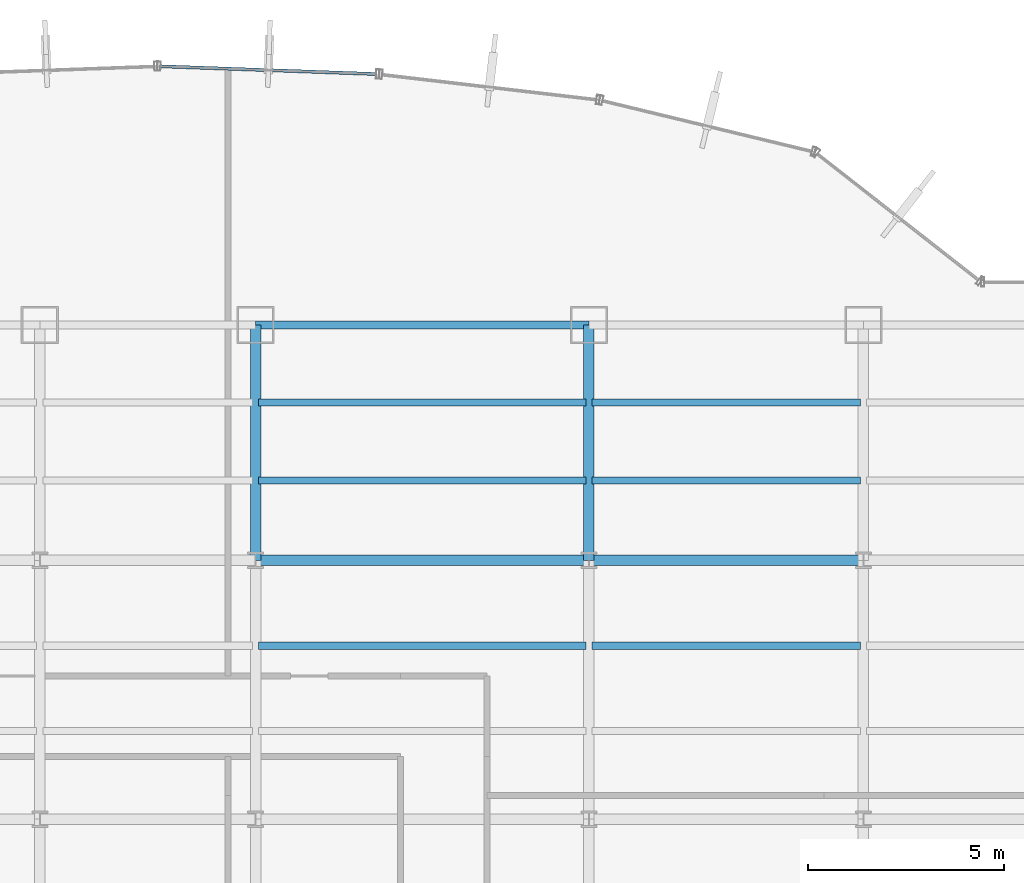
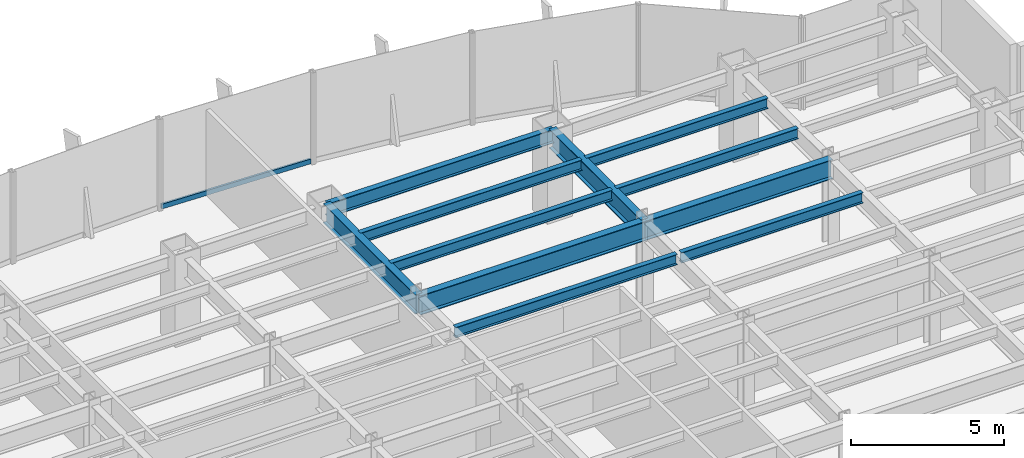
# One storey, part 13 of 22: 11 beams, 1 member, 1 element without a shape of its own.
"""IFC4 building model written with IfcOpenShell, lengths in metres."""

from ifc_helpers import new_model, si_unit, derived_unit, direction, frame, origin, origin_2d, place, context, subcontext, project, spatial, hollow_rectangle, i_section, extrude, source, transform, mapped, material, material_profile, profile_set, type_object, element, aggregate, save


model = new_model("IFC4")

# Units and contexts
model_context = context("Model", 3, precision=1e-05, world=origin(), true_north=direction((0.0, 1.0)))
body_context = subcontext(model_context, "Body", "Model", "MODEL_VIEW")
ifc_project = project(units=[si_unit("LENGTHUNIT", "METRE"), si_unit("AREAUNIT", "SQUARE_METRE"), si_unit("VOLUMEUNIT", "CUBIC_METRE"), si_unit("PLANEANGLEUNIT", "RADIAN"), si_unit("MASSUNIT", "GRAM", prefix="KILO"), derived_unit("THERMALTRANSMITTANCEUNIT", [(si_unit("POWERUNIT", "WATT"), 1), (si_unit("LENGTHUNIT", "METRE"), -2), (si_unit("THERMODYNAMICTEMPERATUREUNIT", "KELVIN"), -1)])], contexts=[model_context])

# Site, building, storey
site_placement = place(None, origin())
site = spatial("IfcSite", under=ifc_project, at=site_placement, CompositionType="ELEMENT")
building_placement = place(site_placement, origin())
building = spatial("IfcBuilding", under=site, at=building_placement, Name="Skarnbrae Concourse Arena and Tower", CompositionType="ELEMENT")
storey_placement = place(building_placement, frame((0.0, 0.0, 36.14990234375)))
storey = spatial("IfcBuildingStorey", under=building, at=storey_placement, Name="L07", CompositionType="ELEMENT", Elevation=36.14990234375)

# Beams
ifc_material_1 = material(Name="Steel CSA G40.21 350W", Category="steel")
ifc_material_profile_1 = material_profile(ifc_material_1, i_section(OverallWidth=0.26806640625, OverallDepth=0.77001953125, WebThickness=0.015625, FlangeThickness=0.025390625, at=origin_2d()), Name="W760X196")
ifc_profile_set_1 = profile_set([ifc_material_profile_1], Name="Steel CSA G40.21 350W")
beam_type_1 = type_object("IfcBeamType", Name="BM-GIRD-W760X196", PredefinedType="BEAM", material=ifc_profile_set_1)
shared_shape_1 = source(origin(), body_context, "Body", "SweptSolid", [
    extrude(i_section(OverallWidth=0.26806640625, OverallDepth=0.77001953125, WebThickness=0.015625, FlangeThickness=0.025390625, at=origin_2d()), origin(), (0.0, 0.0, 1.0), 7.0),
])
beam_1_placement = place(storey_placement, frame((42.0, 34.39990234375, 3.01513671875), z_axis=(1.0, 0.0, 0.0), x_axis=(0.0, 1.0, 0.0)))
element("IfcBeam", 1, at=beam_1_placement, inside=storey, type_object=beam_type_1, Name="L07 Primary E-W girder Y34.4-7", PredefinedType="BEAM", context=body_context, shape_type="MappedRepresentation", body=[
    mapped(shared_shape_1, transform((0.0, 0.0, 0.0))),
])
shared_shape_2 = source(origin(), body_context, "Body", "SweptSolid", [
    extrude(i_section(OverallWidth=0.26806640625, OverallDepth=0.77001953125, WebThickness=0.015625, FlangeThickness=0.025390625, at=origin_2d()), origin(), (0.0, 0.0, 1.0), 8.5),
])
beam_2_placement = place(storey_placement, frame((33.5, 34.39990234375, 3.01513671875), z_axis=(1.0, 0.0, 0.0), x_axis=(0.0, 1.0, 0.0)))
element("IfcBeam", 2, at=beam_2_placement, inside=storey, type_object=beam_type_1, Name="L07 Primary E-W girder Y34.4-6", PredefinedType="BEAM", context=body_context, shape_type="MappedRepresentation", body=[
    mapped(shared_shape_2, transform((0.0, 0.0, 0.0))),
])
shared_shape_3 = source(origin(), body_context, "Body", "SweptSolid", [
    extrude(i_section(OverallWidth=0.26806640625, OverallDepth=0.77001953125, WebThickness=0.015625, FlangeThickness=0.025390625, at=origin_2d()), origin(), (0.0, 0.0, 1.0), 6.0),
])
for number, where, z_axis, x_axis, name in (
    (3, (33.5, 34.39990234375, 3.01513671875), (0.0, 1.0, 0.0), (-1.0, 0.0, 0.0), "L07 Primary N-S girder X33.5-4"),
    (4, (42.0, 34.39990234375, 3.01513671875), (0.0, 1.0, 0.0), (-1.0, 0.0, 0.0), "L07 Primary N-S girder X42.0-5"),
):
    element("IfcBeam", number, at=place(storey_placement, frame(where, z_axis=z_axis, x_axis=x_axis)), inside=storey, type_object=beam_type_1, Name=name, PredefinedType="BEAM", context=body_context, shape_type="MappedRepresentation", body=[
        mapped(shared_shape_3, transform((0.0, 0.0, 0.0))),
    ])
ifc_material_profile_2 = material_profile(ifc_material_1, i_section(OverallWidth=0.214111328125, OverallDepth=0.549072265625, WebThickness=0.0146484375, FlangeThickness=0.023681640625, at=origin_2d()), Name="W530X138")
ifc_profile_set_2 = profile_set([ifc_material_profile_2], Name="Steel CSA G40.21 350W")
beam_type_2 = type_object("IfcBeamType", Name="BM-SPAN-W530X138", PredefinedType="SPANDREL", material=ifc_profile_set_2)
shared_shape_4 = source(origin(), body_context, "Body", "SweptSolid", [
    extrude(i_section(OverallWidth=0.214111328125, OverallDepth=0.549072265625, WebThickness=0.0146484375, FlangeThickness=0.023681640625, at=origin_2d()), origin(), (0.0, 0.0, 1.0), 8.5),
])
beam_3_placement = place(storey_placement, frame((33.5, 40.39990234375, 3.12548828125), z_axis=(1.0, 0.0, 0.0), x_axis=(0.0, 1.0, 0.0)))
element("IfcBeam", 5, at=beam_3_placement, inside=storey, type_object=beam_type_2, Name="L07 Perimeter spandrel Y40.4-5", PredefinedType="SPANDREL", context=body_context, shape_type="MappedRepresentation", body=[
    mapped(shared_shape_4, transform((0.0, 0.0, 0.0))),
])
ifc_material_profile_3 = material_profile(ifc_material_1, i_section(OverallWidth=0.180908203125, OverallDepth=0.4169921875, WebThickness=0.010986328125, FlangeThickness=0.018310546875, at=origin_2d()), Name="W410X85")
ifc_profile_set_3 = profile_set([ifc_material_profile_3], Name="Steel CSA G40.21 350W")
beam_type_3 = type_object("IfcBeamType", Name="BM-JOIST-W410X85", PredefinedType="JOIST", material=ifc_profile_set_3)
shared_shape_5 = source(origin(), body_context, "Body", "SweptSolid", [
    extrude(i_section(OverallWidth=0.180908203125, OverallDepth=0.4169921875, WebThickness=0.010986328125, FlangeThickness=0.018310546875, at=origin_2d()), origin(), (0.0, 0.0, 1.0), 8.33984375),
])
for number, where, z_axis, x_axis, name in (
    (6, (33.580078125, 32.221923828125, 3.191650390625), (1.0, 0.0, 0.0), (0.0, 1.0, 0.0), "L07 Secondary floor joist 3.2.6"),
    (7, (33.580078125, 36.43994140625, 3.191650390625), (1.0, 0.0, 0.0), (0.0, 1.0, 0.0), "L07 Secondary floor joist 4.1.5"),
    (8, (33.580078125, 38.419921875, 3.191650390625), (1.0, 0.0, 0.0), (0.0, 1.0, 0.0), "L07 Secondary floor joist 4.2.5"),
):
    element("IfcBeam", number, at=place(storey_placement, frame(where, z_axis=z_axis, x_axis=x_axis)), inside=storey, type_object=beam_type_3, Name=name, PredefinedType="JOIST", context=body_context, shape_type="MappedRepresentation", body=[
        mapped(shared_shape_5, transform((0.0, 0.0, 0.0))),
    ])
shared_shape_6 = source(origin(), body_context, "Body", "SweptSolid", [
    extrude(i_section(OverallWidth=0.180908203125, OverallDepth=0.4169921875, WebThickness=0.010986328125, FlangeThickness=0.018310546875, at=origin_2d()), origin(), (0.0, 0.0, 1.0), 6.83984375),
])
for number, where, z_axis, x_axis, name in (
    (9, (42.080078125, 32.221923828125, 3.191650390625), (1.0, 0.0, 0.0), (0.0, 1.0, 0.0), "L07 Secondary floor joist 3.2.7"),
    (10, (42.080078125, 36.43994140625, 3.191650390625), (1.0, 0.0, 0.0), (0.0, 1.0, 0.0), "L07 Secondary floor joist 4.1.6"),
    (11, (42.080078125, 38.419921875, 3.191650390625), (1.0, 0.0, 0.0), (0.0, 1.0, 0.0), "L07 Secondary floor joist 4.2.6"),
):
    element("IfcBeam", number, at=place(storey_placement, frame(where, z_axis=z_axis, x_axis=x_axis)), inside=storey, type_object=beam_type_3, Name=name, PredefinedType="JOIST", context=body_context, shape_type="MappedRepresentation", body=[
        mapped(shared_shape_6, transform((0.0, 0.0, 0.0))),
    ])

# Curtain wall, member
ifc_material_2 = material(Name="Bronze anodised aluminium 6063-T6", Category="aluminium")
curtain_wall_type = type_object("IfcCurtainWallType", Name="CW-SYS-02-LOWZONE", PredefinedType="USERDEFINED", material=ifc_material_2)
curtain_wall_placement = place(storey_placement, origin())
curtain_wall = element("IfcCurtainWall", 12, at=curtain_wall_placement, inside=storey, type_object=curtain_wall_type, Name="L07 Unitised curtain wall CW-L07-E11", ObjectType="UNITISED CURTAIN WALL", PredefinedType="USERDEFINED")
ifc_material_profile_4 = material_profile(ifc_material_2, hollow_rectangle(XDim=0.080078125, YDim=0.18994140625, WallThickness=0.0048828125, at=origin_2d()), Name="ALU-TRAN-80X190")
ifc_profile_set_4 = profile_set([ifc_material_profile_4], Name="Bronze anodised aluminium 6063-T6")
member_type = type_object("IfcMemberType", Name="CWT-CW-02", PredefinedType="USERDEFINED", material=ifc_profile_set_4)
shared_shape_7 = source(origin(), body_context, "Body", "SweptSolid", [
    extrude(hollow_rectangle(XDim=0.080078125, YDim=0.18994140625, WallThickness=0.0048828125, at=origin_2d()), origin(), (0.0, 0.0, 1.0), 5.497802734375),
])
member_placement = place(storey_placement, frame((36.573974609375, 46.7998046875, 0.09521484375), z_axis=(-0.999356047798, 0.03588160712, 0.0), x_axis=(-0.03588160712, -0.999356047798, 0.0)))
member = element("IfcMember", 13, at=member_placement, type_object=member_type, Name="CW-L07-E11 Transom 1", ObjectType="TRANSOM", PredefinedType="USERDEFINED", context=body_context, shape_type="MappedRepresentation", body=[
    mapped(shared_shape_7, transform((0.0, 0.0, 0.0))),
])
aggregate(curtain_wall, [member])

save(model, "model.ifc")
